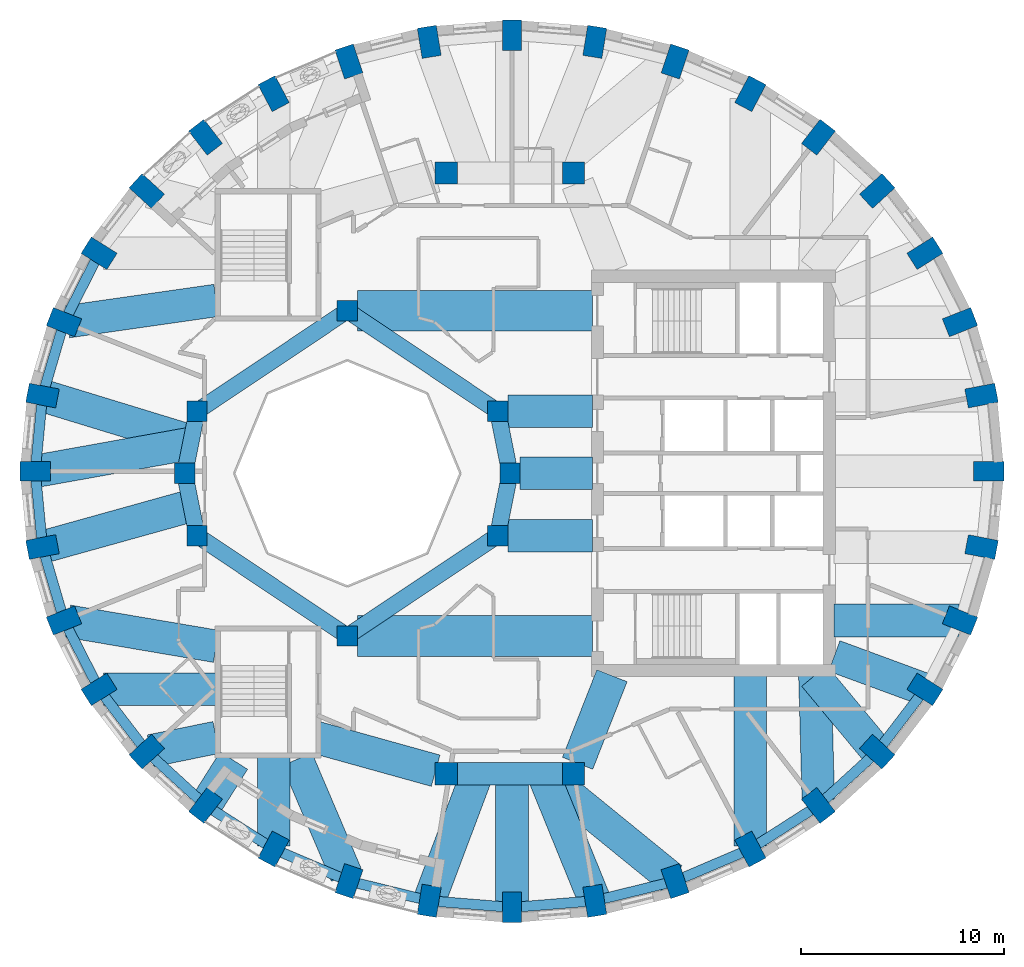
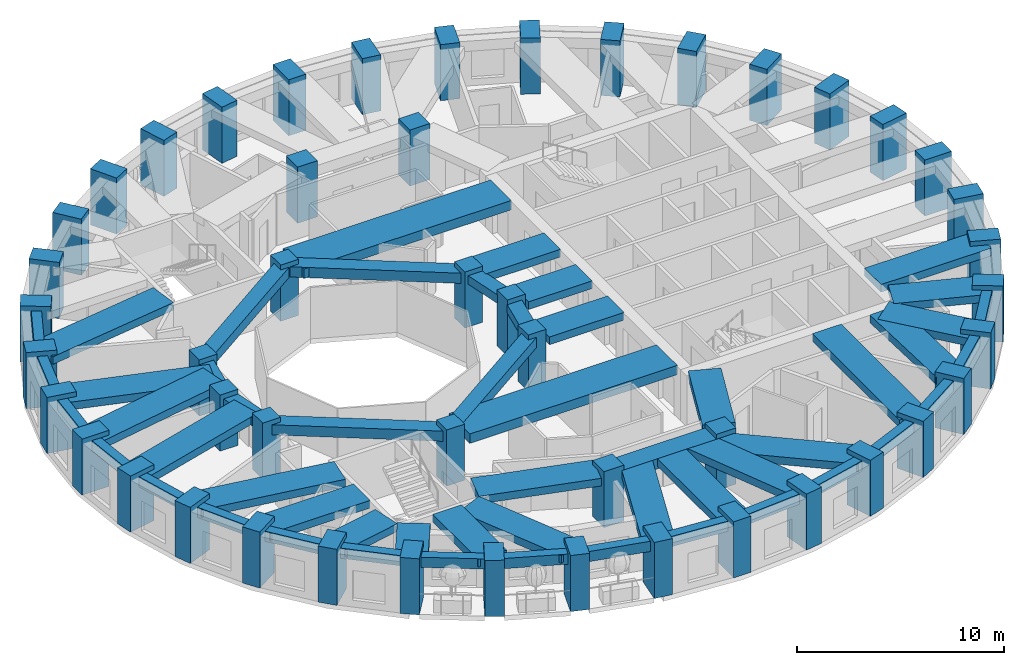
# One storey, part 1 of 12: 53 beams, 48 columns.
"""IFC4 building model written with IfcOpenShell, lengths in metres."""

from ifc_helpers import new_model, si_unit, direction, frame, origin, origin_2d, place, context, subcontext, project, spatial, rectangle, extrude, material, material_profile, profile_set, type_object, element, save


model = new_model("IFC4")

# Units and contexts
model_context = context("Model", 3, precision=1e-05, world=origin(), true_north=direction((0.0, 1.0)))
body_context = subcontext(model_context, "Body", "Model", "MODEL_VIEW")
ifc_project = project(units=[si_unit("LENGTHUNIT", "METRE"), si_unit("AREAUNIT", "SQUARE_METRE"), si_unit("VOLUMEUNIT", "CUBIC_METRE"), si_unit("PLANEANGLEUNIT", "RADIAN"), si_unit("MASSUNIT", "GRAM", prefix="KILO")], contexts=[model_context])

# Site, building, storey
site_placement = place(None, origin())
site = spatial("IfcSite", under=ifc_project, at=site_placement, CompositionType="ELEMENT")
building_placement = place(site_placement, origin())
building = spatial("IfcBuilding", under=site, at=building_placement, Name="Taillehof Tower", CompositionType="ELEMENT")
storey_placement = place(building_placement, frame((0.0, 0.0, 164.89990234375)))
storey = spatial("IfcBuildingStorey", under=building, at=storey_placement, Name="L46", CompositionType="ELEMENT", Elevation=164.89990234375)

# Columns
ifc_material_1 = material(Name="Concrete C50/60", Category="concrete")
ifc_material_profile_1 = material_profile(ifc_material_1, rectangle(XDim=1.0, YDim=1.0, at=origin_2d()), Name="RC 1000x1000")
ifc_profile_set_1 = profile_set([ifc_material_profile_1], Name="Concrete C50/60")
column_type_1 = type_object("IfcColumnType", Name="Atrium ring column C50/60 1000x1000", PredefinedType="COLUMN", material=ifc_profile_set_1)
for number, where, z_axis, x_axis, name in (
    (1, (0.0, 0.0, 0.0), (0.0, 0.0, 1.0), (1.0, 0.0, 0.0), "Column AC01"),
    (2, (-0.60888671875, 3.0615234375, 0.0), (0.0, 0.0, 1.0), (1.0, 0.0, 0.0), "Column AC02"),
    (3, (-8.0, 8.0, 0.0), (0.0, 0.0, 1.0), (1.0, 0.0, 0.0), "Column AC05"),
    (4, (-15.39111328125, 3.0615234375, 0.0), (0.0, 0.0, 1.0), (1.0, 0.0, 0.0), "Column AC08"),
    (5, (-16.0, 0.0, 0.0), (0.0, 0.0, 1.0), (1.0, 0.0, 0.0), "Column AC09"),
    (6, (-15.39111328125, -3.0615234375, 0.0), (0.0, 0.0, 1.0), (1.0, 0.0, 0.0), "Column AC10"),
    (7, (-8.0, -8.0, 0.0), (0.0, 0.0, 1.0), (1.0, 0.0, 0.0), "Column AC13"),
    (8, (-0.60888671875, -3.0615234375, 0.0), (0.0, 0.0, 1.0), (1.0, 0.0, 0.0), "Column AC16"),
):
    element("IfcColumn", number, at=place(storey_placement, frame(where, z_axis=z_axis, x_axis=x_axis)), inside=storey, type_object=column_type_1, Name=name, PredefinedType="COLUMN", context=body_context, shape_type="SweptSolid", body=[
        extrude(rectangle(XDim=1.0, YDim=1.0, at=origin_2d()), origin(), (0.0, 0.0, 1.0), 3.300048828125),
    ])
ifc_material_2 = material(Name="Concrete C50/60", Category="concrete")
ifc_material_profile_2 = material_profile(ifc_material_2, rectangle(XDim=1.10009765625, YDim=1.10009765625, at=origin_2d()), Name="RC 1100x1100")
ifc_profile_set_2 = profile_set([ifc_material_profile_2], Name="Concrete C50/60")
column_type_2 = type_object("IfcColumnType", Name="Mid-ring column C50/60 1100x1100", PredefinedType="COLUMN", material=ifc_profile_set_2)
for number, where, z_axis, x_axis, name in (
    (9, (3.125732421875, 14.772216796875, 0.0), (0.0, 0.0, 1.0), (1.0, 0.0, 0.0), "Column MC05"),
    (10, (-3.125732421875, 14.772216796875, 0.0), (0.0, 0.0, 1.0), (1.0, 0.0, 0.0), "Column MC06"),
    (11, (-3.125732421875, -14.772216796875, 0.0), (0.0, 0.0, 1.0), (1.0, 0.0, 0.0), "Column MC14"),
    (12, (3.125732421875, -14.772216796875, 0.0), (0.0, 0.0, 1.0), (1.0, 0.0, 0.0), "Column MC15"),
):
    element("IfcColumn", number, at=place(storey_placement, frame(where, z_axis=z_axis, x_axis=x_axis)), inside=storey, type_object=column_type_2, Name=name, PredefinedType="COLUMN", context=body_context, shape_type="SweptSolid", body=[
        extrude(rectangle(XDim=1.10009765625, YDim=1.10009765625, at=origin_2d()), origin(), (0.0, 0.0, 1.0), 3.300048828125),
    ])
ifc_material_3 = material(Name="Concrete C60/75", Category="concrete")
ifc_material_profile_3 = material_profile(ifc_material_3, rectangle(XDim=1.5, YDim=0.949951171875, at=origin_2d()), Name="RC 1500x950")
ifc_profile_set_3 = profile_set([ifc_material_profile_3], Name="Concrete C60/75")
column_type_3 = type_object("IfcColumnType", Name="Ring column C60/75 1500x950", PredefinedType="COLUMN", material=ifc_profile_set_3)
for number, where, z_axis, x_axis, name in (
    (13, (23.550048828125, 0.10009765625, 0.0), (0.0, 0.0, 1.0), (1.0, 0.0, 0.0), "Ring column RC01"),
    (14, (23.19384765625, 3.82470703125, 0.0), (0.0, 0.0, 1.0), (0.98202380309, 0.188757119508, 0.0), "Ring column RC02"),
    (15, (22.1357421875, 7.436279296875, 0.0), (0.0, 0.0, 1.0), (0.929511471762, 0.368793199317, 0.0), "Ring column RC03"),
    (16, (20.408203125, 10.824951171875, 0.0), (0.0, 0.0, 1.0), (0.846334224225, 0.532652213837, 0.0), "Ring column RC04"),
    (17, (18.063720703125, 13.8876953125, 0.0), (0.0, 0.0, 1.0), (0.7378786352, 0.674933418727, 0.0), "Ring column RC05"),
    (18, (15.17333984375, 16.53173828125, 0.0), (0.0, 0.0, 1.0), (0.609970500644, 0.792424121506, 0.0), "Ring column RC06"),
    (19, (11.824951171875, 18.67626953125, 0.0), (0.0, 0.0, 1.0), (0.468042101717, 0.883706167807, 0.0), "Ring column RC07"),
    (20, (8.120361328125, 20.25634765625, 0.0), (0.0, 0.0, 1.0), (0.316702950283, 0.948524771043, 0.0), "Ring column RC08"),
    (21, (4.172119140625, 21.22412109375, 0.0), (0.0, 0.0, 1.0), (0.159679090777, 0.987168976401, 0.0), "Ring column RC09"),
    (22, (0.10009765625, 21.550048828125, 0.0), (0.0, 0.0, 1.0), (0.0, 1.0, 0.0), "Ring column RC10"),
    (23, (-3.97216796875, 21.22412109375, 0.0), (0.0, 0.0, 1.0), (-0.159679090777, 0.987168976401, 0.0), "Ring column RC11"),
    (24, (-7.92041015625, 20.25634765625, 0.0), (0.0, 0.0, 1.0), (-0.316702950283, 0.948524771043, 0.0), "Ring column RC12"),
    (25, (-11.625, 18.67626953125, 0.0), (0.0, 0.0, 1.0), (-0.468042101717, 0.883706167807, 0.0), "Ring column RC13"),
    (26, (-14.973388671875, 16.53173828125, 0.0), (0.0, 0.0, 1.0), (-0.609970500644, 0.792424121506, 0.0), "Ring column RC14"),
    (27, (-17.86376953125, 13.8876953125, 0.0), (0.0, 0.0, 1.0), (-0.7378786352, 0.674933418727, 0.0), "Ring column RC15"),
    (28, (-20.208251953125, 10.824951171875, 0.0), (0.0, 0.0, 1.0), (-0.846334224225, 0.532652213837, 0.0), "Ring column RC16"),
    (29, (-21.935791015625, 7.436279296875, 0.0), (0.0, 0.0, 1.0), (-0.929511471762, 0.368793199317, 0.0), "Ring column RC17"),
    (30, (-22.99365234375, 3.82470703125, 0.0), (0.0, 0.0, 1.0), (-0.98202380309, 0.188757119508, 0.0), "Ring column RC18"),
    (31, (-23.35009765625, 0.10009765625, 0.0), (0.0, 0.0, 1.0), (-1.0, 0.0, 0.0), "Ring column RC19"),
    (32, (-22.99365234375, -3.624755859375, 0.0), (0.0, 0.0, 1.0), (-0.98202380309, -0.188757119508, 0.0), "Ring column RC20"),
    (33, (-21.935791015625, -7.236328125, 0.0), (0.0, 0.0, 1.0), (-0.929511471762, -0.368793199317, 0.0), "Ring column RC21"),
    (34, (-20.208251953125, -10.625, 0.0), (0.0, 0.0, 1.0), (-0.846334224225, -0.532652213837, 0.0), "Ring column RC22"),
    (35, (-17.86376953125, -13.687744140625, 0.0), (0.0, 0.0, 1.0), (-0.7378786352, -0.674933418727, 0.0), "Ring column RC23"),
    (36, (-14.973388671875, -16.33154296875, 0.0), (0.0, 0.0, 1.0), (-0.609970500644, -0.792424121506, 0.0), "Ring column RC24"),
    (37, (-11.625, -18.476318359375, 0.0), (0.0, 0.0, 1.0), (-0.468042101717, -0.883706167807, 0.0), "Ring column RC25"),
    (38, (-7.92041015625, -20.056396484375, 0.0), (0.0, 0.0, 1.0), (-0.316702950283, -0.948524771043, 0.0), "Ring column RC26"),
    (39, (-3.97216796875, -21.024169921875, 0.0), (0.0, 0.0, 1.0), (-0.159679090777, -0.987168976401, 0.0), "Ring column RC27"),
    (40, (0.10009765625, -21.35009765625, 0.0), (0.0, 0.0, 1.0), (0.0, -1.0, 0.0), "Ring column RC28"),
    (41, (4.172119140625, -21.024169921875, 0.0), (0.0, 0.0, 1.0), (0.159679090777, -0.987168976401, 0.0), "Ring column RC29"),
    (42, (8.120361328125, -20.056396484375, 0.0), (0.0, 0.0, 1.0), (0.316702950283, -0.948524771043, 0.0), "Ring column RC30"),
    (43, (11.824951171875, -18.476318359375, 0.0), (0.0, 0.0, 1.0), (0.468042101717, -0.883706167807, 0.0), "Ring column RC31"),
    (44, (15.17333984375, -16.33154296875, 0.0), (0.0, 0.0, 1.0), (0.609970500644, -0.792424121506, 0.0), "Ring column RC32"),
    (45, (18.063720703125, -13.687744140625, 0.0), (0.0, 0.0, 1.0), (0.7378786352, -0.674933418727, 0.0), "Ring column RC33"),
    (46, (20.408203125, -10.625, 0.0), (0.0, 0.0, 1.0), (0.846334224225, -0.532652213837, 0.0), "Ring column RC34"),
    (47, (22.1357421875, -7.236328125, 0.0), (0.0, 0.0, 1.0), (0.929511471762, -0.368793199317, 0.0), "Ring column RC35"),
    (48, (23.19384765625, -3.624755859375, 0.0), (0.0, 0.0, 1.0), (0.98202380309, -0.188757119508, 0.0), "Ring column RC36"),
):
    element("IfcColumn", number, at=place(storey_placement, frame(where, z_axis=z_axis, x_axis=x_axis)), inside=storey, type_object=column_type_3, Name=name, PredefinedType="COLUMN", context=body_context, shape_type="SweptSolid", body=[
        extrude(rectangle(XDim=1.5, YDim=0.949951171875, at=origin_2d()), origin(), (0.0, 0.0, 1.0), 3.300048828125),
    ])

# Beams
ifc_material_4 = material(Name="Concrete C50/60", Category="concrete")
ifc_material_profile_4 = material_profile(ifc_material_4, rectangle(XDim=0.800048828125, YDim=0.5, at=origin_2d()), Name="RC 800x500")
ifc_profile_set_4 = profile_set([ifc_material_profile_4], Name="Concrete C50/60")
beam_type_1 = type_object("IfcBeamType", Name="Atrium ring beam C50/60 800x500", PredefinedType="BEAM", material=ifc_profile_set_4)
for number, where, z_axis, x_axis, name in (
    (49, (0.0, 0.0, 2.77001953125), (-0.195063155143, 0.980790683839, 0.0), (-0.980790683839, -0.195063155143, 0.0), "Atrium ring beam AB01"),
    (50, (-15.39111328125, 3.0615234375, 2.77001953125), (-0.195063155143, -0.980790683839, 0.0), (0.980790683839, -0.195063155143, 0.0), "Atrium ring beam AB04"),
    (51, (-16.0, 0.0, 2.77001953125), (0.195063155143, -0.980790683839, 0.0), (0.980790683839, 0.195063155143, 0.0), "Atrium ring beam AB05"),
    (52, (-0.60888671875, -3.0615234375, 2.77001953125), (0.195063155143, 0.980790683839, 0.0), (-0.980790683839, 0.195063155143, 0.0), "Atrium ring beam AB08"),
):
    element("IfcBeam", number, at=place(storey_placement, frame(where, z_axis=z_axis, x_axis=x_axis)), inside=storey, type_object=beam_type_1, Name=name, PredefinedType="BEAM", context=body_context, shape_type="SweptSolid", body=[
        extrude(rectangle(XDim=0.800048828125, YDim=0.5, at=origin_2d()), origin(), (0.0, 0.0, 1.0), 3.12158203125),
    ])
ifc_material_5 = material(Name="Concrete C50/60", Category="concrete")
ifc_material_profile_5 = material_profile(ifc_material_5, rectangle(XDim=0.800048828125, YDim=0.60009765625, at=origin_2d()), Name="RC 800x600")
ifc_profile_set_5 = profile_set([ifc_material_profile_5], Name="Concrete C50/60")
beam_type_2 = type_object("IfcBeamType", Name="Atrium ring beam C50/60 800x600", PredefinedType="BEAM", material=ifc_profile_set_5)
for number, where, z_axis, x_axis, name in (
    (53, (-0.60888671875, 3.0615234375, 2.72021484375), (-0.831475195687, 0.555561876804, 0.0), (-0.555561876804, -0.831475195687, 0.0), "Atrium ring beam AB02"),
    (54, (-8.0, 8.0, 2.72021484375), (-0.831475195687, -0.555561876804, 0.0), (0.555561876804, -0.831475195687, 0.0), "Atrium ring beam AB03"),
    (55, (-15.39111328125, -3.0615234375, 2.72021484375), (0.831475195687, -0.555561876804, 0.0), (0.555561876804, 0.831475195687, 0.0), "Atrium ring beam AB06"),
    (56, (-8.0, -8.0, 2.72021484375), (0.831475195687, 0.555561876804, 0.0), (-0.555561876804, 0.831475195687, 0.0), "Atrium ring beam AB07"),
):
    element("IfcBeam", number, at=place(storey_placement, frame(where, z_axis=z_axis, x_axis=x_axis)), inside=storey, type_object=beam_type_2, Name=name, PredefinedType="BEAM", context=body_context, shape_type="SweptSolid", body=[
        extrude(rectangle(XDim=0.800048828125, YDim=0.60009765625, at=origin_2d()), origin(), (0.0, 0.0, 1.0), 8.88916015625),
    ])
ifc_material_6 = material(Name="Concrete C50/60", Category="concrete")
ifc_material_profile_6 = material_profile(ifc_material_6, rectangle(XDim=1.10009765625, YDim=0.60009765625, at=origin_2d()), Name="RC 1100x600")
ifc_profile_set_6 = profile_set([ifc_material_profile_6], Name="Concrete C50/60")
beam_type_3 = type_object("IfcBeamType", Name="Mid-ring beam C50/60 1100x600", PredefinedType="BEAM", material=ifc_profile_set_6)
beam_1_placement = place(storey_placement, frame((-3.125732421875, -14.772216796875, 2.72021484375), z_axis=(1.0, 0.0, 0.0), x_axis=(0.0, 1.0, 0.0)))
element("IfcBeam", 57, at=beam_1_placement, inside=storey, type_object=beam_type_3, Name="Mid-ring beam MB02", PredefinedType="BEAM", context=body_context, shape_type="SweptSolid", body=[
    extrude(rectangle(XDim=1.10009765625, YDim=0.60009765625, at=origin_2d()), origin(), (0.0, 0.0, 1.0), 6.25146484375),
])
ifc_material_7 = material(Name="Concrete C50/60", Category="concrete")
ifc_material_profile_7 = material_profile(ifc_material_7, rectangle(XDim=1.60009765625, YDim=0.449951171875, at=origin_2d()), Name="RC 1600x450")
ifc_profile_set_7 = profile_set([ifc_material_profile_7], Name="Concrete C50/60")
beam_type_4 = type_object("IfcBeamType", Name="Radial band beam C50/60 1600x450", PredefinedType="BEAM", material=ifc_profile_set_7)
beam_2_placement = place(storey_placement, frame((-21.766845703125, 7.46044921875, 2.795166015625), z_axis=(0.989922388732, 0.141610961042, 0.0), x_axis=(-0.141610961042, 0.989922388732, 0.0)))
element("IfcBeam", 58, at=beam_2_placement, inside=storey, type_object=beam_type_4, Name="Radial band beam RB17", PredefinedType="BEAM", context=body_context, shape_type="SweptSolid", body=[
    extrude(rectangle(XDim=1.60009765625, YDim=0.449951171875, at=origin_2d()), origin(), (0.0, 0.0, 1.0), 7.390869140625),
])
beam_3_placement = place(storey_placement, frame((-22.99365234375, 3.82470703125, 2.795166015625), z_axis=(0.956324293447, -0.292307792854, 0.0), x_axis=(0.292307792854, 0.956324293447, 0.0)))
element("IfcBeam", 59, at=beam_3_placement, inside=storey, type_object=beam_type_4, Name="Radial band beam RB18", PredefinedType="BEAM", context=body_context, shape_type="SweptSolid", body=[
    extrude(rectangle(XDim=1.60009765625, YDim=0.449951171875, at=origin_2d()), origin(), (0.0, 0.0, 1.0), 7.643798828125),
])
beam_4_placement = place(storey_placement, frame((-23.35009765625, 0.10009765625, 2.795166015625), z_axis=(0.984286763882, 0.176577366745, 0.0), x_axis=(-0.176577366745, 0.984286763882, 0.0)))
element("IfcBeam", 60, at=beam_4_placement, inside=storey, type_object=beam_type_4, Name="Radial band beam RB19", PredefinedType="BEAM", context=body_context, shape_type="SweptSolid", body=[
    extrude(rectangle(XDim=1.60009765625, YDim=0.449951171875, at=origin_2d()), origin(), (0.0, 0.0, 1.0), 7.764892578125),
])
beam_5_placement = place(storey_placement, frame((-22.99365234375, -3.624755859375, 2.795166015625), z_axis=(0.96338688135, 0.268115118639, 0.0), x_axis=(-0.268115118639, 0.96338688135, 0.0)))
element("IfcBeam", 61, at=beam_5_placement, inside=storey, type_object=beam_type_4, Name="Radial band beam RB20", PredefinedType="BEAM", context=body_context, shape_type="SweptSolid", body=[
    extrude(rectangle(XDim=1.60009765625, YDim=0.449951171875, at=origin_2d()), origin(), (0.0, 0.0, 1.0), 7.587890625),
])
beam_6_placement = place(storey_placement, frame((-21.744140625, -7.268798828125, 2.795166015625), z_axis=(0.985864460395, -0.167544817079, 0.0), x_axis=(0.167544817079, 0.985864460395, 0.0)))
element("IfcBeam", 62, at=beam_6_placement, inside=storey, type_object=beam_type_4, Name="Radial band beam RB21", PredefinedType="BEAM", context=body_context, shape_type="SweptSolid", body=[
    extrude(rectangle(XDim=1.60009765625, YDim=0.449951171875, at=origin_2d()), origin(), (0.0, 0.0, 1.0), 7.39794921875),
])
beam_7_placement = place(storey_placement, frame((-19.9990234375, -10.625, 2.795166015625), z_axis=(1.0, 0.0, 0.0), x_axis=(0.0, 1.0, 0.0)))
element("IfcBeam", 63, at=beam_7_placement, inside=storey, type_object=beam_type_4, Name="Radial band beam RB22", PredefinedType="BEAM", context=body_context, shape_type="SweptSolid", body=[
    extrude(rectangle(XDim=1.60009765625, YDim=0.449951171875, at=origin_2d()), origin(), (0.0, 0.0, 1.0), 5.549072265625),
])
beam_8_placement = place(storey_placement, frame((-17.678955078125, -13.64990234375, 2.795166015625), z_axis=(0.979736748385, 0.200289550059, 0.0), x_axis=(-0.200289550059, 0.979736748385, 0.0)))
element("IfcBeam", 64, at=beam_8_placement, inside=storey, type_object=beam_type_4, Name="Radial band beam RB23", PredefinedType="BEAM", context=body_context, shape_type="SweptSolid", body=[
    extrude(rectangle(XDim=1.60009765625, YDim=0.449951171875, at=origin_2d()), origin(), (0.0, 0.0, 1.0), 3.294677734375),
])
beam_9_placement = place(storey_placement, frame((-14.973388671875, -16.33154296875, 2.795166015625), z_axis=(0.534207803896, 0.845353193794, 0.0), x_axis=(-0.845353193794, 0.534207803896, 0.0)))
element("IfcBeam", 65, at=beam_9_placement, inside=storey, type_object=beam_type_4, Name="Radial band beam RB24", PredefinedType="BEAM", context=body_context, shape_type="SweptSolid", body=[
    extrude(rectangle(XDim=1.60009765625, YDim=0.449951171875, at=origin_2d()), origin(), (0.0, 0.0, 1.0), 2.608154296875),
])
beam_10_placement = place(storey_placement, frame((-11.625, -18.33642578125, 2.795166015625), z_axis=(0.0, 1.0, 0.0), x_axis=(-1.0, 0.0, 0.0)))
element("IfcBeam", 66, at=beam_10_placement, inside=storey, type_object=beam_type_4, Name="Radial band beam RB25", PredefinedType="BEAM", context=body_context, shape_type="SweptSolid", body=[
    extrude(rectangle(XDim=1.60009765625, YDim=0.449951171875, at=origin_2d()), origin(), (0.0, 0.0, 1.0), 4.386474609375),
])
beam_11_placement = place(storey_placement, frame((-8.049072265625, -19.75390625, 2.795166015625), z_axis=(-0.391879389257, 0.9200166, 0.0), x_axis=(-0.9200166, -0.391879389257, 0.0)))
element("IfcBeam", 67, at=beam_11_placement, inside=storey, type_object=beam_type_4, Name="Radial band beam RB26", PredefinedType="BEAM", context=body_context, shape_type="SweptSolid", body=[
    extrude(rectangle(XDim=1.60009765625, YDim=0.449951171875, at=origin_2d()), origin(), (0.0, 0.0, 1.0), 6.18505859375),
])
beam_12_placement = place(storey_placement, frame((-3.97216796875, -21.024169921875, 2.795166015625), z_axis=(0.351379850477, 0.936232984186, 0.0), x_axis=(-0.936232984186, 0.351379850477, 0.0)))
element("IfcBeam", 68, at=beam_12_placement, inside=storey, type_object=beam_type_4, Name="Radial band beam RB27", PredefinedType="BEAM", context=body_context, shape_type="SweptSolid", body=[
    extrude(rectangle(XDim=1.60009765625, YDim=0.449951171875, at=origin_2d()), origin(), (0.0, 0.0, 1.0), 6.677734375),
])
beam_13_placement = place(storey_placement, frame((0.10009765625, -21.35009765625, 2.795166015625), z_axis=(0.0, 1.0, 0.0), x_axis=(-1.0, 0.0, 0.0)))
element("IfcBeam", 69, at=beam_13_placement, inside=storey, type_object=beam_type_4, Name="Radial band beam RB28", PredefinedType="BEAM", context=body_context, shape_type="SweptSolid", body=[
    extrude(rectangle(XDim=1.60009765625, YDim=0.449951171875, at=origin_2d()), origin(), (0.0, 0.0, 1.0), 6.577880859375),
])
beam_14_placement = place(storey_placement, frame((4.172119140625, -21.024169921875, 2.795166015625), z_axis=(-0.377207279938, 0.926128861424, 0.0), x_axis=(-0.926128861424, -0.377207279938, 0.0)))
element("IfcBeam", 70, at=beam_14_placement, inside=storey, type_object=beam_type_4, Name="Radial band beam RB29", PredefinedType="BEAM", context=body_context, shape_type="SweptSolid", body=[
    extrude(rectangle(XDim=1.60009765625, YDim=0.449951171875, at=origin_2d()), origin(), (0.0, 0.0, 1.0), 6.750732421875),
])
beam_15_placement = place(storey_placement, frame((7.95556640625, -19.92236328125, 2.795166015625), z_axis=(-0.775687012842, 0.631117784655, 0.0), x_axis=(-0.631117784655, -0.775687012842, 0.0)))
element("IfcBeam", 71, at=beam_15_placement, inside=storey, type_object=beam_type_4, Name="Radial band beam RB30", PredefinedType="BEAM", context=body_context, shape_type="SweptSolid", body=[
    extrude(rectangle(XDim=1.60009765625, YDim=0.449951171875, at=origin_2d()), origin(), (0.0, 0.0, 1.0), 8.048583984375),
])
beam_16_placement = place(storey_placement, frame((11.824951171875, -18.33642578125, 2.795166015625), z_axis=(0.0, 1.0, 0.0), x_axis=(-1.0, 0.0, 0.0)))
element("IfcBeam", 72, at=beam_16_placement, inside=storey, type_object=beam_type_4, Name="Radial band beam RB31", PredefinedType="BEAM", context=body_context, shape_type="SweptSolid", body=[
    extrude(rectangle(XDim=1.60009765625, YDim=0.449951171875, at=origin_2d()), origin(), (0.0, 0.0, 1.0), 8.386474609375),
])
beam_17_placement = place(storey_placement, frame((15.166015625, -16.060546875, 2.795166015625), z_axis=(-0.027397917621, 0.999624606595, 0.0), x_axis=(-0.999624606595, -0.027397917621, 0.0)))
element("IfcBeam", 73, at=beam_17_placement, inside=storey, type_object=beam_type_4, Name="Radial band beam RB32", PredefinedType="BEAM", context=body_context, shape_type="SweptSolid", body=[
    extrude(rectangle(XDim=1.60009765625, YDim=0.449951171875, at=origin_2d()), origin(), (0.0, 0.0, 1.0), 6.11279296875),
])
beam_18_placement = place(storey_placement, frame((18.063720703125, -13.687744140625, 2.795166015625), z_axis=(-0.639018777093, 0.769191135234, 0.0), x_axis=(-0.769191135234, -0.639018777093, 0.0)))
element("IfcBeam", 74, at=beam_18_placement, inside=storey, type_object=beam_type_4, Name="Radial band beam RB33", PredefinedType="BEAM", context=body_context, shape_type="SweptSolid", body=[
    extrude(rectangle(XDim=1.60009765625, YDim=0.449951171875, at=origin_2d()), origin(), (0.0, 0.0, 1.0), 4.844482421875),
])
beam_19_placement = place(storey_placement, frame((20.408203125, -10.625, 2.795166015625), z_axis=(-0.938275503033, 0.345888826661, 0.0), x_axis=(-0.345888826661, -0.938275503033, 0.0)))
element("IfcBeam", 75, at=beam_19_placement, inside=storey, type_object=beam_type_4, Name="Radial band beam RB34", PredefinedType="BEAM", context=body_context, shape_type="SweptSolid", body=[
    extrude(rectangle(XDim=1.60009765625, YDim=0.449951171875, at=origin_2d()), origin(), (0.0, 0.0, 1.0), 4.748046875),
])
beam_20_placement = place(storey_placement, frame((22.08642578125, -7.236328125, 2.795166015625), z_axis=(-1.0, 0.0, 0.0), x_axis=(0.0, -1.0, 0.0)))
element("IfcBeam", 76, at=beam_20_placement, inside=storey, type_object=beam_type_4, Name="Radial band beam RB35", PredefinedType="BEAM", context=body_context, shape_type="SweptSolid", body=[
    extrude(rectangle(XDim=1.60009765625, YDim=0.449951171875, at=origin_2d()), origin(), (0.0, 0.0, 1.0), 6.136474609375),
])
beam_21_placement = place(storey_placement, frame((0.5, 0.0, 2.795166015625), z_axis=(1.0, 0.0, 0.0), x_axis=(0.0, 1.0, 0.0)))
element("IfcBeam", 77, at=beam_21_placement, inside=storey, type_object=beam_type_4, Name="Inner band beam IB101", PredefinedType="BEAM", context=body_context, shape_type="SweptSolid", body=[
    extrude(rectangle(XDim=1.60009765625, YDim=0.449951171875, at=origin_2d()), origin(), (0.0, 0.0, 1.0), 3.550048828125),
])
for number, where, z_axis, x_axis, name in (
    (78, (-0.10888671875, 3.0615234375, 2.795166015625), (1.0, 0.0, 0.0), (0.0, 1.0, 0.0), "Inner band beam IB102"),
    (79, (-0.10888671875, -3.0615234375, 2.795166015625), (1.0, 0.0, 0.0), (0.0, 1.0, 0.0), "Inner band beam IB116"),
):
    element("IfcBeam", number, at=place(storey_placement, frame(where, z_axis=z_axis, x_axis=x_axis)), inside=storey, type_object=beam_type_4, Name=name, PredefinedType="BEAM", context=body_context, shape_type="SweptSolid", body=[
        extrude(rectangle(XDim=1.60009765625, YDim=0.449951171875, at=origin_2d()), origin(), (0.0, 0.0, 1.0), 4.158935546875),
    ])
beam_22_placement = place(storey_placement, frame((-3.655517578125, -14.624755859375, 2.795166015625), z_axis=(-0.963459369536, 0.267854518821, 0.0), x_axis=(-0.267854518821, -0.963459369536, 0.0)))
element("IfcBeam", 80, at=beam_22_placement, inside=storey, type_object=beam_type_4, Name="Inner band beam IB214", PredefinedType="BEAM", context=body_context, shape_type="SweptSolid", body=[
    extrude(rectangle(XDim=1.60009765625, YDim=0.449951171875, at=origin_2d()), origin(), (0.0, 0.0, 1.0), 6.096923828125),
])
beam_23_placement = place(storey_placement, frame((3.32666015625, -14.26025390625, 2.795166015625), z_axis=(0.365588707223, 0.930776502255, 0.0), x_axis=(-0.930776502255, 0.365588707223, 0.0)))
element("IfcBeam", 81, at=beam_23_placement, inside=storey, type_object=beam_type_4, Name="Inner band beam IB215", PredefinedType="BEAM", context=body_context, shape_type="SweptSolid", body=[
    extrude(rectangle(XDim=1.60009765625, YDim=0.449951171875, at=origin_2d()), origin(), (0.0, 0.0, 1.0), 4.627197265625),
])
ifc_material_8 = material(Name="Concrete C50/60", Category="concrete")
ifc_material_profile_8 = material_profile(ifc_material_8, rectangle(XDim=2.0, YDim=0.550048828125, at=origin_2d()), Name="RC 2000x550")
ifc_profile_set_8 = profile_set([ifc_material_profile_8], Name="Concrete C50/60")
beam_type_5 = type_object("IfcBeamType", Name="Radial band beam C50/60 2000x550", PredefinedType="BEAM", material=ifc_profile_set_8)
for number, where, z_axis, x_axis, name in (
    (82, (-7.5, 8.0, 2.7451171875), (1.0, 0.0, 0.0), (0.0, 1.0, 0.0), "Inner band beam IB105"),
    (83, (-7.5, -8.0, 2.7451171875), (1.0, 0.0, 0.0), (0.0, 1.0, 0.0), "Inner band beam IB113"),
):
    element("IfcBeam", number, at=place(storey_placement, frame(where, z_axis=z_axis, x_axis=x_axis)), inside=storey, type_object=beam_type_5, Name=name, PredefinedType="BEAM", context=body_context, shape_type="SweptSolid", body=[
        extrude(rectangle(XDim=2.0, YDim=0.550048828125, at=origin_2d()), origin(), (0.0, 0.0, 1.0), 11.550048828125),
    ])
ifc_material_9 = material(Name="Concrete C50/60", Category="concrete")
ifc_material_profile_9 = material_profile(ifc_material_9, rectangle(XDim=0.5, YDim=0.60009765625, at=origin_2d()), Name="RC 500x600")
ifc_profile_set_9 = profile_set([ifc_material_profile_9], Name="Concrete C50/60")
beam_type_6 = type_object("IfcBeamType", Name="Spandrel beam C50/60 500x600", PredefinedType="SPANDREL", material=ifc_profile_set_9)
beam_24_placement = place(storey_placement, frame((-20.208251953125, 10.824951171875, 2.72021484375), z_axis=(-0.454183451696, -0.890908183937, 0.0), x_axis=(0.890908183937, -0.454183451696, 0.0)))
element("IfcBeam", 84, at=beam_24_placement, inside=storey, type_object=beam_type_6, Name="Spandrel beam SB16", PredefinedType="SPANDREL", context=body_context, shape_type="SweptSolid", body=[
    extrude(rectangle(XDim=0.5, YDim=0.60009765625, at=origin_2d()), origin(), (0.0, 0.0, 1.0), 3.8037109375),
])
beam_25_placement = place(storey_placement, frame((-21.935791015625, 7.436279296875, 2.72021484375), z_axis=(-0.281098416478, -0.959678946447, 0.0), x_axis=(0.959678946447, -0.281098416478, 0.0)))
element("IfcBeam", 85, at=beam_25_placement, inside=storey, type_object=beam_type_6, Name="Spandrel beam SB17", PredefinedType="SPANDREL", context=body_context, shape_type="SweptSolid", body=[
    extrude(rectangle(XDim=0.5, YDim=0.60009765625, at=origin_2d()), origin(), (0.0, 0.0, 1.0), 3.763427734375),
])
beam_26_placement = place(storey_placement, frame((-22.99365234375, 3.82470703125, 2.72021484375), z_axis=(-0.095264805358, -0.995451966124, 0.0), x_axis=(0.995451966124, -0.095264805358, 0.0)))
element("IfcBeam", 86, at=beam_26_placement, inside=storey, type_object=beam_type_6, Name="Spandrel beam SB18", PredefinedType="SPANDREL", context=body_context, shape_type="SweptSolid", body=[
    extrude(rectangle(XDim=0.5, YDim=0.60009765625, at=origin_2d()), origin(), (0.0, 0.0, 1.0), 3.74169921875),
])
beam_27_placement = place(storey_placement, frame((-23.35009765625, 0.10009765625, 2.72021484375), z_axis=(0.095258618013, -0.995452558234, 0.0), x_axis=(0.995452558234, 0.095258618013, 0.0)))
element("IfcBeam", 87, at=beam_27_placement, inside=storey, type_object=beam_type_6, Name="Spandrel beam SB19", PredefinedType="SPANDREL", context=body_context, shape_type="SweptSolid", body=[
    extrude(rectangle(XDim=0.5, YDim=0.60009765625, at=origin_2d()), origin(), (0.0, 0.0, 1.0), 3.741943359375),
])
beam_28_placement = place(storey_placement, frame((-22.99365234375, -3.624755859375, 2.72021484375), z_axis=(0.281098416478, -0.959678946447, 0.0), x_axis=(0.959678946447, 0.281098416478, 0.0)))
element("IfcBeam", 88, at=beam_28_placement, inside=storey, type_object=beam_type_6, Name="Spandrel beam SB20", PredefinedType="SPANDREL", context=body_context, shape_type="SweptSolid", body=[
    extrude(rectangle(XDim=0.5, YDim=0.60009765625, at=origin_2d()), origin(), (0.0, 0.0, 1.0), 3.763427734375),
])
beam_29_placement = place(storey_placement, frame((-21.935791015625, -7.236328125, 2.72021484375), z_axis=(0.454183451696, -0.890908183937, 0.0), x_axis=(0.890908183937, 0.454183451696, 0.0)))
element("IfcBeam", 89, at=beam_29_placement, inside=storey, type_object=beam_type_6, Name="Spandrel beam SB21", PredefinedType="SPANDREL", context=body_context, shape_type="SweptSolid", body=[
    extrude(rectangle(XDim=0.5, YDim=0.60009765625, at=origin_2d()), origin(), (0.0, 0.0, 1.0), 3.8037109375),
])
beam_30_placement = place(storey_placement, frame((-20.208251953125, -10.625, 2.72021484375), z_axis=(0.60784004271, -0.794059495553, 0.0), x_axis=(0.794059495553, 0.60784004271, 0.0)))
element("IfcBeam", 90, at=beam_30_placement, inside=storey, type_object=beam_type_6, Name="Spandrel beam SB22", PredefinedType="SPANDREL", context=body_context, shape_type="SweptSolid", body=[
    extrude(rectangle(XDim=0.5, YDim=0.60009765625, at=origin_2d()), origin(), (0.0, 0.0, 1.0), 3.857177734375),
])
beam_31_placement = place(storey_placement, frame((-17.86376953125, -13.687744140625, 2.72021484375), z_axis=(0.737880696592, -0.674931165081, 0.0), x_axis=(0.674931165081, 0.737880696592, 0.0)))
element("IfcBeam", 91, at=beam_31_placement, inside=storey, type_object=beam_type_6, Name="Spandrel beam SB23", PredefinedType="SPANDREL", context=body_context, shape_type="SweptSolid", body=[
    extrude(rectangle(XDim=0.5, YDim=0.60009765625, at=origin_2d()), origin(), (0.0, 0.0, 1.0), 3.917236328125),
])
beam_32_placement = place(storey_placement, frame((-14.973388671875, -16.33154296875, 2.72021484375), z_axis=(0.842065054946, -0.539375975771, 0.0), x_axis=(0.539375975771, 0.842065054946, 0.0)))
element("IfcBeam", 92, at=beam_32_placement, inside=storey, type_object=beam_type_6, Name="Spandrel beam SB24", PredefinedType="SPANDREL", context=body_context, shape_type="SweptSolid", body=[
    extrude(rectangle(XDim=0.5, YDim=0.60009765625, at=origin_2d()), origin(), (0.0, 0.0, 1.0), 3.976318359375),
])
beam_33_placement = place(storey_placement, frame((-11.625, -18.476318359375, 2.72021484375), z_axis=(0.919827173659, -0.392323808351, 0.0), x_axis=(0.392323808351, 0.919827173659, 0.0)))
element("IfcBeam", 93, at=beam_33_placement, inside=storey, type_object=beam_type_6, Name="Spandrel beam SB25", PredefinedType="SPANDREL", context=body_context, shape_type="SweptSolid", body=[
    extrude(rectangle(XDim=0.5, YDim=0.60009765625, at=origin_2d()), origin(), (0.0, 0.0, 1.0), 4.027587890625),
])
beam_34_placement = place(storey_placement, frame((-7.92041015625, -20.056396484375, 2.72021484375), z_axis=(0.971248584585, -0.238067610023, 0.0), x_axis=(0.238067610023, 0.971248584585, 0.0)))
element("IfcBeam", 94, at=beam_34_placement, inside=storey, type_object=beam_type_6, Name="Spandrel beam SB26", PredefinedType="SPANDREL", context=body_context, shape_type="SweptSolid", body=[
    extrude(rectangle(XDim=0.5, YDim=0.60009765625, at=origin_2d()), origin(), (0.0, 0.0, 1.0), 4.065185546875),
])
beam_35_placement = place(storey_placement, frame((-3.97216796875, -21.024169921875, 2.72021484375), z_axis=(0.996812427616, -0.079780850771, 0.0), x_axis=(0.079780850771, 0.996812427616, 0.0)))
element("IfcBeam", 95, at=beam_35_placement, inside=storey, type_object=beam_type_6, Name="Spandrel beam SB27", PredefinedType="SPANDREL", context=body_context, shape_type="SweptSolid", body=[
    extrude(rectangle(XDim=0.5, YDim=0.60009765625, at=origin_2d()), origin(), (0.0, 0.0, 1.0), 4.085205078125),
])
beam_36_placement = place(storey_placement, frame((0.10009765625, -21.35009765625, 2.72021484375), z_axis=(0.996812047205, 0.079785603634, 0.0), x_axis=(-0.079785603634, 0.996812047205, 0.0)))
element("IfcBeam", 96, at=beam_36_placement, inside=storey, type_object=beam_type_6, Name="Spandrel beam SB28", PredefinedType="SPANDREL", context=body_context, shape_type="SweptSolid", body=[
    extrude(rectangle(XDim=0.5, YDim=0.60009765625, at=origin_2d()), origin(), (0.0, 0.0, 1.0), 4.0849609375),
])
beam_37_placement = place(storey_placement, frame((4.172119140625, -21.024169921875, 2.72021484375), z_axis=(0.971248584585, 0.238067610023, 0.0), x_axis=(-0.238067610023, 0.971248584585, 0.0)))
element("IfcBeam", 97, at=beam_37_placement, inside=storey, type_object=beam_type_6, Name="Spandrel beam SB29", PredefinedType="SPANDREL", context=body_context, shape_type="SweptSolid", body=[
    extrude(rectangle(XDim=0.5, YDim=0.60009765625, at=origin_2d()), origin(), (0.0, 0.0, 1.0), 4.065185546875),
])
beam_38_placement = place(storey_placement, frame((8.120361328125, -20.056396484375, 2.72021484375), z_axis=(0.919827173659, 0.392323808351, 0.0), x_axis=(-0.392323808351, 0.919827173659, 0.0)))
element("IfcBeam", 98, at=beam_38_placement, inside=storey, type_object=beam_type_6, Name="Spandrel beam SB30", PredefinedType="SPANDREL", context=body_context, shape_type="SweptSolid", body=[
    extrude(rectangle(XDim=0.5, YDim=0.60009765625, at=origin_2d()), origin(), (0.0, 0.0, 1.0), 4.027587890625),
])
beam_39_placement = place(storey_placement, frame((11.824951171875, -18.476318359375, 2.72021484375), z_axis=(0.842065054946, 0.539375975771, 0.0), x_axis=(-0.539375975771, 0.842065054946, 0.0)))
element("IfcBeam", 99, at=beam_39_placement, inside=storey, type_object=beam_type_6, Name="Spandrel beam SB31", PredefinedType="SPANDREL", context=body_context, shape_type="SweptSolid", body=[
    extrude(rectangle(XDim=0.5, YDim=0.60009765625, at=origin_2d()), origin(), (0.0, 0.0, 1.0), 3.976318359375),
])
beam_40_placement = place(storey_placement, frame((15.17333984375, -16.33154296875, 2.72021484375), z_axis=(0.737880696592, 0.674931165081, 0.0), x_axis=(-0.674931165081, 0.737880696592, 0.0)))
element("IfcBeam", 100, at=beam_40_placement, inside=storey, type_object=beam_type_6, Name="Spandrel beam SB32", PredefinedType="SPANDREL", context=body_context, shape_type="SweptSolid", body=[
    extrude(rectangle(XDim=0.5, YDim=0.60009765625, at=origin_2d()), origin(), (0.0, 0.0, 1.0), 3.917236328125),
])
beam_41_placement = place(storey_placement, frame((18.063720703125, -13.687744140625, 2.72021484375), z_axis=(0.60784004271, 0.794059495553, 0.0), x_axis=(-0.794059495553, 0.60784004271, 0.0)))
element("IfcBeam", 101, at=beam_41_placement, inside=storey, type_object=beam_type_6, Name="Spandrel beam SB33", PredefinedType="SPANDREL", context=body_context, shape_type="SweptSolid", body=[
    extrude(rectangle(XDim=0.5, YDim=0.60009765625, at=origin_2d()), origin(), (0.0, 0.0, 1.0), 3.857177734375),
])

save(model, "model.ifc")
